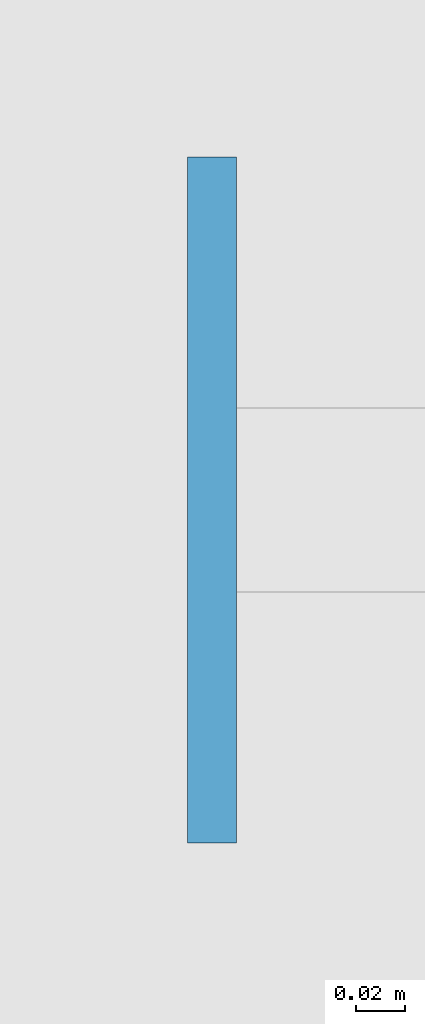
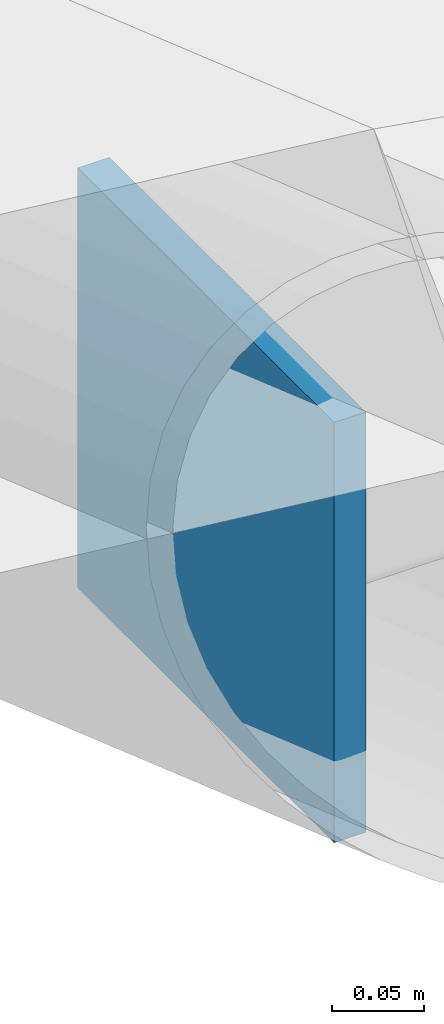
# One storey, part 89 of 93: 1 plate.
"""IFC4 building model written with IfcOpenShell, lengths in metres."""

from ifc_helpers import new_model, si_unit, derived_unit, direction, frame, origin, origin_2d_with_axis, place, context, subcontext, project, spatial, rectangle, extrude, material, layer, layer_set, type_object, element, save


model = new_model("IFC4")

# Units and contexts
model_context = context("Model", 3, precision=1e-05, world=origin(), true_north=direction((0.0, 1.0)))
body_context = subcontext(model_context, "Body", "Model", "MODEL_VIEW")
ifc_project = project(units=[si_unit("LENGTHUNIT", "METRE"), si_unit("AREAUNIT", "SQUARE_METRE"), si_unit("VOLUMEUNIT", "CUBIC_METRE"), si_unit("PLANEANGLEUNIT", "RADIAN"), si_unit("MASSUNIT", "GRAM", prefix="KILO"), derived_unit("THERMALTRANSMITTANCEUNIT", [(si_unit("POWERUNIT", "WATT"), 1), (si_unit("LENGTHUNIT", "METRE"), -2), (si_unit("THERMODYNAMICTEMPERATUREUNIT", "KELVIN"), -1)])], contexts=[model_context])

# Site, building, storey
site_placement = place(None, origin())
site = spatial("IfcSite", under=ifc_project, at=site_placement, CompositionType="ELEMENT")
building_placement = place(site_placement, origin())
building = spatial("IfcBuilding", under=site, at=building_placement, Name="Cinnabar Yard Market Hall", CompositionType="ELEMENT")
storey_placement = place(building_placement, frame((0.0, 0.0, 23.800048828125)))
storey = spatial("IfcBuildingStorey", under=building, at=storey_placement, Name="ROOF", CompositionType="ELEMENT", Elevation=23.800048828125)

# Plate
ifc_material = material(Name="Steel Grade 350 (350 MPa)", Category="steel")
ifc_layer = layer(ifc_material, 0.280029296875)
ifc_layer_set = layer_set([ifc_layer], Name="Steel Grade 350 (350 MPa)")
plate_type = type_object("IfcPlateType", Name="PL-NP17", PredefinedType="SHEET", material=ifc_layer_set)
plate_placement = place(storey_placement, frame((86.0, 72.0, -6.72607421875), z_axis=(0.0, 0.0, 1.0), x_axis=(1.0, 0.0, 0.0)))
element("IfcPlate", 1, at=plate_placement, inside=storey, type_object=plate_type, Name="Purlin End Cap Y72 W", PredefinedType="SHEET", context=body_context, shape_type="SweptSolid", body=[
    extrude(rectangle(XDim=0.02001953125, YDim=0.280029296875, at=origin_2d_with_axis()), origin(), (0.0, 0.0, 1.0), 0.280029296875),
])

save(model, "model.ifc")
